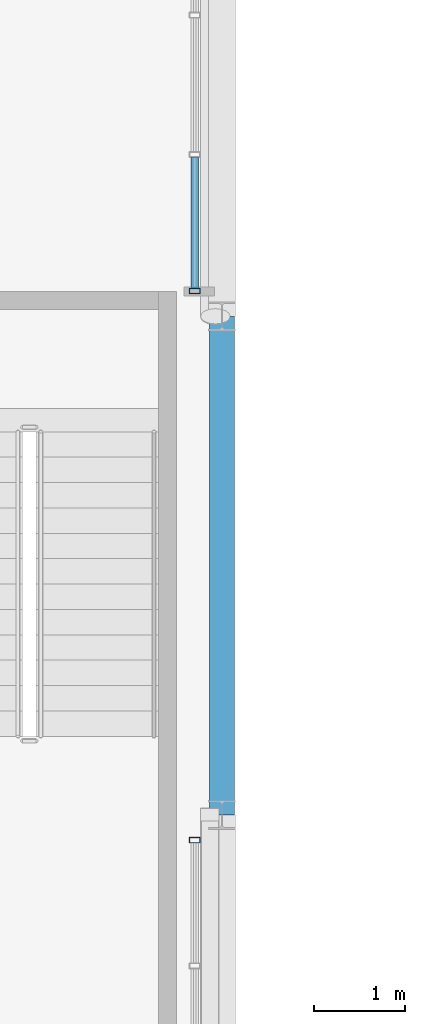
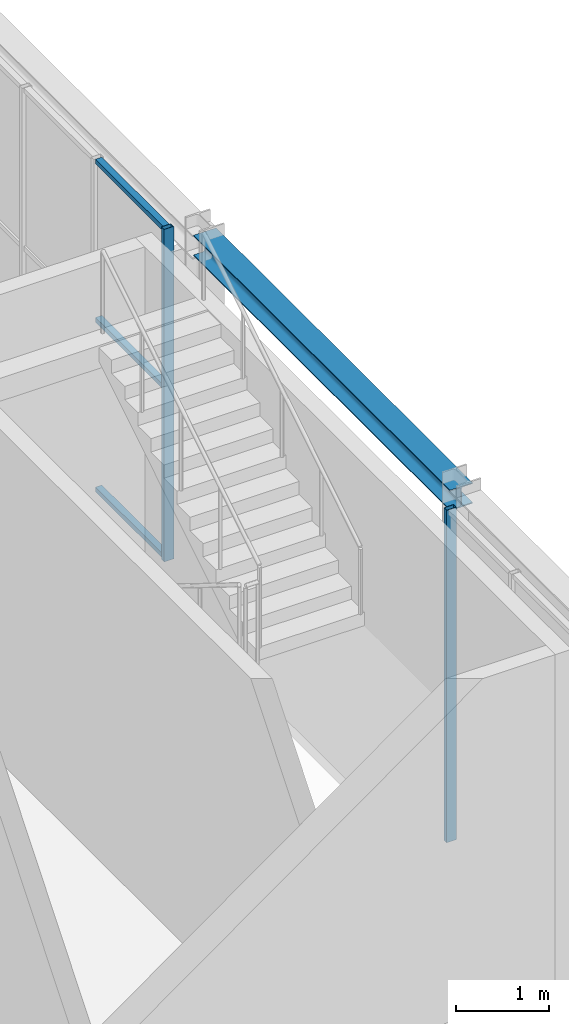
# One storey, part 51 of 111: 5 members, 1 beam, 2 elements without a shape of their own.
"""IFC4 building model written with IfcOpenShell, lengths in metres."""

from ifc_helpers import new_model, si_unit, direction, frame, origin, origin_2d, place, context, subcontext, project, spatial, hollow_rectangle, i_section, extrude, material, layer, layer_set, material_profile, profile_set, type_object, element, aggregate, save


model = new_model("IFC4")

# Units and contexts
model_context = context("Model", 3, precision=1e-05, world=origin(), true_north=direction((0.0, 1.0)))
body_context = subcontext(model_context, "Body", "Model", "MODEL_VIEW")
ifc_project = project(units=[si_unit("LENGTHUNIT", "METRE"), si_unit("AREAUNIT", "SQUARE_METRE"), si_unit("VOLUMEUNIT", "CUBIC_METRE"), si_unit("PLANEANGLEUNIT", "RADIAN"), si_unit("MASSUNIT", "GRAM", prefix="KILO")], contexts=[model_context])

# Site, building, storey
site_placement = place(None, origin())
site = spatial("IfcSite", under=ifc_project, at=site_placement, CompositionType="ELEMENT")
building_placement = place(site_placement, origin())
building = spatial("IfcBuilding", under=site, at=building_placement, Name="Kallimachos Central Library", CompositionType="ELEMENT")
storey_placement = place(building_placement, frame((0.0, 0.0, 14.39990234375)))
storey = spatial("IfcBuildingStorey", under=building, at=storey_placement, Name="L03", CompositionType="ELEMENT", Elevation=14.39990234375)

# Curtain wall, member
ifc_material_1 = material(Name="Anodised aluminium and laminated glass", Category="aluminium")
ifc_layer = layer(ifc_material_1, 0.159912109375)
ifc_layer_set = layer_set([ifc_layer], Name="Glass box curtain wall")
curtain_wall_type = type_object("IfcCurtainWallType", Name="Glass box curtain wall", PredefinedType="NOTDEFINED", material=ifc_layer_set)
curtain_wall_1_placement = place(storey_placement, origin())
curtain_wall_1 = element("IfcCurtainWall", 1, at=curtain_wall_1_placement, inside=storey, type_object=curtain_wall_type, Name="Glass box curtain wall E L03", PredefinedType="NOTDEFINED")
ifc_material_2 = material(Name="Anodised aluminium", Category="aluminium")
ifc_material_profile_1 = material_profile(ifc_material_2, hollow_rectangle(XDim=0.06005859375, YDim=0.1201171875, WallThickness=0.00390625, at=origin_2d()), Name="ALU MULLION 60x120")
ifc_profile_set_1 = profile_set([ifc_material_profile_1], Name="Anodised aluminium")
member_type_1 = type_object("IfcMemberType", Name="Glass box mullion 60x120", PredefinedType="MULLION", material=ifc_profile_set_1)
member_1_placement = place(storey_placement, frame((110.199951171875, 104.719970703125, 0.0), z_axis=(0.0, 0.0, 1.0), x_axis=(0.0, 1.0, 0.0)))
member_1 = element("IfcMember", 2, at=member_1_placement, type_object=member_type_1, Name="CW25 mullion 7", PredefinedType="MULLION", context=body_context, shape_type="SweptSolid", body=[
    extrude(hollow_rectangle(XDim=0.06005859375, YDim=0.1201171875, WallThickness=0.00390625, at=origin_2d()), origin(), (0.0, 0.0, 1.0), 4.35009765625),
])
aggregate(curtain_wall_1, [member_1])

# Curtain wall, members
curtain_wall_2_placement = place(storey_placement, origin())
curtain_wall_2 = element("IfcCurtainWall", 3, at=curtain_wall_2_placement, inside=storey, type_object=curtain_wall_type, Name="Glass box curtain wall E L03", PredefinedType="NOTDEFINED")
member_2_placement = place(storey_placement, frame((110.199951171875, 110.780029296875, 0.0), z_axis=(0.0, 0.0, 1.0), x_axis=(0.0, 1.0, 0.0)))
member_2 = element("IfcMember", 4, at=member_2_placement, type_object=member_type_1, Name="CW26 mullion 1", PredefinedType="MULLION", context=body_context, shape_type="SweptSolid", body=[
    extrude(hollow_rectangle(XDim=0.06005859375, YDim=0.1201171875, WallThickness=0.00390625, at=origin_2d()), origin(), (0.0, 0.0, 1.0), 4.35009765625),
])
ifc_material_3 = material(Name="Anodised aluminium", Category="aluminium")
ifc_material_profile_2 = material_profile(ifc_material_3, hollow_rectangle(XDim=0.06005859375, YDim=0.080078125, WallThickness=0.00390625, at=origin_2d()), Name="ALU TRANSOM 60x80")
ifc_profile_set_2 = profile_set([ifc_material_profile_2], Name="Anodised aluminium")
member_type_2 = type_object("IfcMemberType", Name="Glass box transom 60x80", PredefinedType="USERDEFINED", material=ifc_profile_set_2)
member_3_placement = place(storey_placement, frame((110.199951171875, 110.81005859375, 0.030029296875), z_axis=(0.0, 1.0, 0.0), x_axis=(0.0, 0.0, 1.0)))
member_3 = element("IfcMember", 5, at=member_3_placement, type_object=member_type_2, Name="CW26 transom 1.1", ObjectType="TRANSOM", PredefinedType="USERDEFINED", context=body_context, shape_type="SweptSolid", body=[
    extrude(hollow_rectangle(XDim=0.06005859375, YDim=0.080078125, WallThickness=0.00390625, at=origin_2d()), origin(), (0.0, 0.0, 1.0), 1.445556640625),
])
member_4_placement = place(storey_placement, frame((110.199951171875, 110.81005859375, 2.25), z_axis=(0.0, 1.0, 0.0), x_axis=(0.0, 0.0, 1.0)))
member_4 = element("IfcMember", 6, at=member_4_placement, type_object=member_type_2, Name="CW26 transom 1.2", ObjectType="TRANSOM", PredefinedType="USERDEFINED", context=body_context, shape_type="SweptSolid", body=[
    extrude(hollow_rectangle(XDim=0.06005859375, YDim=0.080078125, WallThickness=0.00390625, at=origin_2d()), origin(), (0.0, 0.0, 1.0), 1.445556640625),
])
member_5_placement = place(storey_placement, frame((110.199951171875, 110.81005859375, 4.320068359375), z_axis=(0.0, 1.0, 0.0), x_axis=(0.0, 0.0, 1.0)))
member_5 = element("IfcMember", 7, at=member_5_placement, type_object=member_type_2, Name="CW26 transom 1.3", ObjectType="TRANSOM", PredefinedType="USERDEFINED", context=body_context, shape_type="SweptSolid", body=[
    extrude(hollow_rectangle(XDim=0.06005859375, YDim=0.080078125, WallThickness=0.00390625, at=origin_2d()), origin(), (0.0, 0.0, 1.0), 1.445556640625),
])
aggregate(curtain_wall_2, [member_2, member_3, member_4, member_5])

# Beam
ifc_material_4 = material(Name="Steel S355J2", Category="steel")
ifc_material_profile_3 = material_profile(ifc_material_4, i_section(OverallWidth=0.280029296875, OverallDepth=0.27001953125, WebThickness=0.008056640625, FlangeThickness=0.012939453125, FilletRadius=0.02392578125, at=origin_2d()), Name="HEA 280")
ifc_profile_set_3 = profile_set([ifc_material_profile_3], Name="Steel S355J2")
beam_type = type_object("IfcBeamType", Name="HEA 280 beam", PredefinedType="BEAM", material=ifc_profile_set_3)
beam_placement = place(storey_placement, frame((110.5, 105.0, 4.215087890625), z_axis=(0.0, 1.0, 0.0), x_axis=(-1.0, 0.0, 0.0)))
element("IfcBeam", 8, at=beam_placement, inside=storey, type_object=beam_type, Name="V1-BEM-L03-036", PredefinedType="BEAM", context=body_context, shape_type="SweptSolid", body=[
    extrude(i_section(OverallWidth=0.280029296875, OverallDepth=0.27001953125, WebThickness=0.008056640625, FlangeThickness=0.012939453125, FilletRadius=0.02392578125, at=origin_2d()), origin(), (0.0, 0.0, 1.0), 5.5),
])

save(model, "model.ifc")
